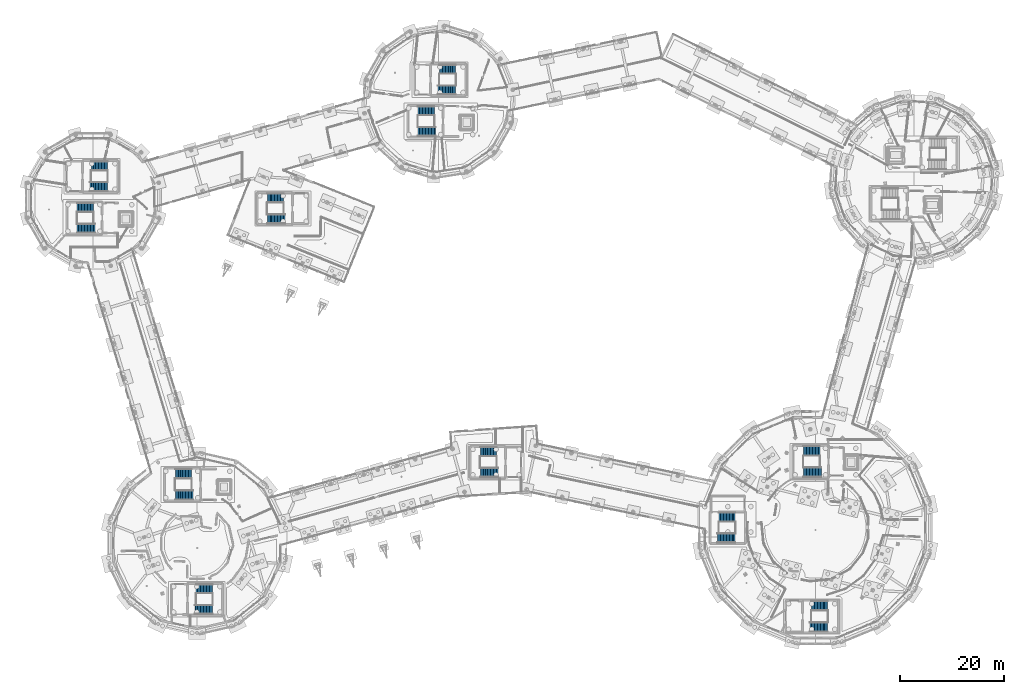
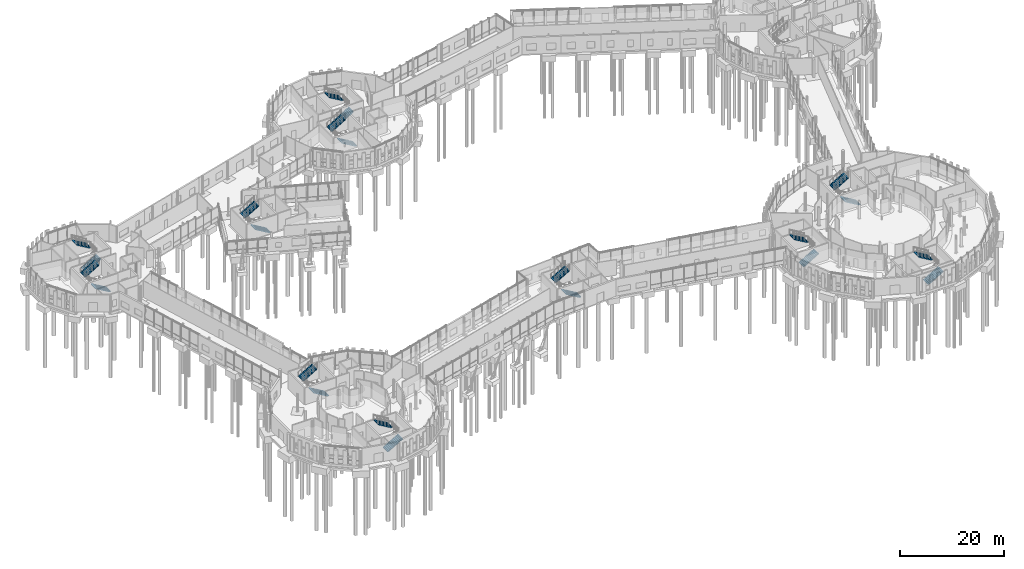
# One storey, part 96 of 113: 22 stair flights, 11 elements without a shape of their own.
"""IFC4 building model written with IfcOpenShell, lengths in metres."""

from ifc_helpers import new_model, si_unit, direction, frame, origin, place, context, subcontext, project, spatial, polyline, outline, extrude, material, type_object, element, aggregate, save


model = new_model("IFC4")

# Units and contexts
model_context = context("Model", 3, precision=1e-05, world=origin(), true_north=direction((0.0, 1.0)))
body_context = subcontext(model_context, "Body", "Model", "MODEL_VIEW")
ifc_project = project(units=[si_unit("LENGTHUNIT", "METRE"), si_unit("AREAUNIT", "SQUARE_METRE"), si_unit("VOLUMEUNIT", "CUBIC_METRE"), si_unit("PLANEANGLEUNIT", "RADIAN"), si_unit("MASSUNIT", "GRAM", prefix="KILO")], contexts=[model_context])

# Site, building, storey
site_placement = place(None, origin())
site = spatial("IfcSite", under=ifc_project, at=site_placement, CompositionType="ELEMENT")
building_placement = place(site_placement, origin())
building = spatial("IfcBuilding", under=site, at=building_placement, Name="Wrenclough Park School", CompositionType="ELEMENT")
storey_placement = place(building_placement, origin())
storey = spatial("IfcBuildingStorey", under=building, at=storey_placement, Name="L00", CompositionType="ELEMENT", Elevation=0.0)

# Stair, stair flights
ifc_material = material(Name="Precast concrete C40/50", Category="concrete")
stair_type_1 = type_object("IfcStairType", Name="INT-ST-180-42", PredefinedType="HALF_TURN_STAIR", material=ifc_material)
stair_1_placement = place(storey_placement, origin())
stair_1 = element("IfcStair", 1, at=stair_1_placement, inside=storey, type_object=stair_type_1, Name="L00 escape stair ST-12", PredefinedType="HALF_TURN_STAIR")
stair_flight_type_1 = type_object("IfcStairFlightType", Name="INT-FL-180-168", PredefinedType="STRAIGHT", material=ifc_material)
stair_flight_1_placement = place(storey_placement, frame((136.659912109375, 24.5, 0.0), z_axis=(0.0, 0.0, 1.0), x_axis=(1.0, 0.0, 0.0)))
stair_flight_1 = element("IfcStairFlight", 2, at=stair_flight_1_placement, type_object=stair_flight_type_1, Name="ST-12 flight 1", NumberOfRisers=13, NumberOfTreads=12, PredefinedType="STRAIGHT", RiserHeight=0.168, TreadLength=0.285, context=body_context, shape_type="SweptSolid", body=[
    extrude(outline(polyline([(0.0, 0.0), (0.0, 0.16796875), (0.284912109375, 0.16796875), (0.284912109375, 0.3359375), (0.570068359375, 0.3359375), (0.570068359375, 0.50390625), (0.85498046875, 0.50390625), (0.85498046875, 0.672119140625), (1.139892578125, 0.672119140625), (1.139892578125, 0.840087890625), (1.425048828125, 0.840087890625), (1.425048828125, 1.008056640625), (1.7099609375, 1.008056640625), (1.7099609375, 1.176025390625), (1.9951171875, 1.176025390625), (1.9951171875, 1.343994140625), (2.280029296875, 1.343994140625), (2.280029296875, 1.511962890625), (2.56494140625, 1.511962890625), (2.56494140625, 1.679931640625), (2.85009765625, 1.679931640625), (2.85009765625, 1.847900390625), (3.135009765625, 1.847900390625), (3.135009765625, 2.01611328125), (3.419921875, 2.01611328125), (3.419921875, 2.18408203125), (3.419921875, 1.80712890625), (0.354248046875, 0.0), (0.0, 0.0)])), frame((0.0, 0.89990234375, 0.0), z_axis=(0.0, -1.0, 0.0), x_axis=(1.0, 0.0, 0.0)), (0.0, 0.0, 1.0), 1.800048828125),
])
stair_flight_2_placement = place(storey_placement, frame((140.080078125, 28.5, 2.18408203125), z_axis=(0.0, 0.0, 1.0), x_axis=(-1.0, 0.0, 0.0)))
stair_flight_2 = element("IfcStairFlight", 3, at=stair_flight_2_placement, type_object=stair_flight_type_1, Name="ST-12 flight 2", NumberOfRisers=12, NumberOfTreads=11, PredefinedType="STRAIGHT", RiserHeight=0.168, TreadLength=0.285, context=body_context, shape_type="SweptSolid", body=[
    extrude(outline(polyline([(0.0, 0.0), (0.0, 0.16796875), (0.284912109375, 0.16796875), (0.284912109375, 0.3359375), (0.570068359375, 0.3359375), (0.570068359375, 0.50390625), (0.85498046875, 0.50390625), (0.85498046875, 0.672119140625), (1.139892578125, 0.672119140625), (1.139892578125, 0.840087890625), (1.425048828125, 0.840087890625), (1.425048828125, 1.008056640625), (1.7099609375, 1.008056640625), (1.7099609375, 1.176025390625), (1.9951171875, 1.176025390625), (1.9951171875, 1.343994140625), (2.280029296875, 1.343994140625), (2.280029296875, 1.511962890625), (2.56494140625, 1.511962890625), (2.56494140625, 1.679931640625), (2.85009765625, 1.679931640625), (2.85009765625, 1.847900390625), (3.135009765625, 1.847900390625), (3.135009765625, 2.01611328125), (3.135009765625, 1.63916015625), (0.354248046875, 0.0), (0.0, 0.0)])), frame((0.0, 0.89990234375, 0.0), z_axis=(0.0, -1.0, 0.0), x_axis=(1.0, 0.0, 0.0)), (0.0, 0.0, 1.0), 1.800048828125),
])
aggregate(stair_1, [stair_flight_1, stair_flight_2])

stair_2_placement = place(storey_placement, origin())
stair_2 = element("IfcStair", 4, at=stair_2_placement, inside=storey, type_object=stair_type_1, Name="L00 escape stair ST-13", PredefinedType="HALF_TURN_STAIR")
stair_flight_3_placement = place(storey_placement, frame((36.06005859375, 10.699951171875, 0.0), z_axis=(0.0, 0.0, 1.0), x_axis=(1.0, 0.0, 0.0)))
stair_flight_3 = element("IfcStairFlight", 5, at=stair_flight_3_placement, type_object=stair_flight_type_1, Name="ST-13 flight 1", NumberOfRisers=13, NumberOfTreads=12, PredefinedType="STRAIGHT", RiserHeight=0.168, TreadLength=0.285, context=body_context, shape_type="SweptSolid", body=[
    extrude(outline(polyline([(0.0, 0.0), (0.0, 0.16796875), (0.284912109375, 0.16796875), (0.284912109375, 0.3359375), (0.570068359375, 0.3359375), (0.570068359375, 0.50390625), (0.85498046875, 0.50390625), (0.85498046875, 0.672119140625), (1.139892578125, 0.672119140625), (1.139892578125, 0.840087890625), (1.425048828125, 0.840087890625), (1.425048828125, 1.008056640625), (1.7099609375, 1.008056640625), (1.7099609375, 1.176025390625), (1.9951171875, 1.176025390625), (1.9951171875, 1.343994140625), (2.280029296875, 1.343994140625), (2.280029296875, 1.511962890625), (2.56494140625, 1.511962890625), (2.56494140625, 1.679931640625), (2.85009765625, 1.679931640625), (2.85009765625, 1.847900390625), (3.135009765625, 1.847900390625), (3.135009765625, 2.01611328125), (3.419921875, 2.01611328125), (3.419921875, 2.18408203125), (3.419921875, 1.80712890625), (0.354248046875, 0.0), (0.0, 0.0)])), frame((0.0, 0.89990234375, 0.0), z_axis=(0.0, -1.0, 0.0), x_axis=(1.0, 0.0, 0.0)), (0.0, 0.0, 1.0), 1.800048828125),
])
stair_flight_4_placement = place(storey_placement, frame((39.47998046875, 14.699951171875, 2.18408203125), z_axis=(0.0, 0.0, 1.0), x_axis=(-1.0, 0.0, 0.0)))
stair_flight_4 = element("IfcStairFlight", 6, at=stair_flight_4_placement, type_object=stair_flight_type_1, Name="ST-13 flight 2", NumberOfRisers=12, NumberOfTreads=11, PredefinedType="STRAIGHT", RiserHeight=0.168, TreadLength=0.285, context=body_context, shape_type="SweptSolid", body=[
    extrude(outline(polyline([(0.0, 0.0), (0.0, 0.16796875), (0.284912109375, 0.16796875), (0.284912109375, 0.3359375), (0.570068359375, 0.3359375), (0.570068359375, 0.50390625), (0.85498046875, 0.50390625), (0.85498046875, 0.672119140625), (1.139892578125, 0.672119140625), (1.139892578125, 0.840087890625), (1.425048828125, 0.840087890625), (1.425048828125, 1.008056640625), (1.7099609375, 1.008056640625), (1.7099609375, 1.176025390625), (1.9951171875, 1.176025390625), (1.9951171875, 1.343994140625), (2.280029296875, 1.343994140625), (2.280029296875, 1.511962890625), (2.56494140625, 1.511962890625), (2.56494140625, 1.679931640625), (2.85009765625, 1.679931640625), (2.85009765625, 1.847900390625), (3.135009765625, 1.847900390625), (3.135009765625, 2.01611328125), (3.135009765625, 1.63916015625), (0.354248046875, 0.0), (0.0, 0.0)])), frame((0.0, 0.89990234375, 0.0), z_axis=(0.0, -1.0, 0.0), x_axis=(1.0, 0.0, 0.0)), (0.0, 0.0, 1.0), 1.800048828125),
])
aggregate(stair_2, [stair_flight_3, stair_flight_4])

stair_3_placement = place(storey_placement, origin())
stair_3 = element("IfcStair", 7, at=stair_3_placement, inside=storey, type_object=stair_type_1, Name="L00 escape stair ST-03", PredefinedType="HALF_TURN_STAIR")
stair_flight_5_placement = place(storey_placement, frame((16.840087890625, 84.10009765625, 0.0), z_axis=(0.0, 0.0, 1.0), x_axis=(-1.0, 0.0, 0.0)))
stair_flight_5 = element("IfcStairFlight", 8, at=stair_flight_5_placement, type_object=stair_flight_type_1, Name="ST-03 flight 1", NumberOfRisers=13, NumberOfTreads=12, PredefinedType="STRAIGHT", RiserHeight=0.168, TreadLength=0.285, context=body_context, shape_type="SweptSolid", body=[
    extrude(outline(polyline([(0.0, 0.0), (0.0, 0.16796875), (0.284912109375, 0.16796875), (0.284912109375, 0.3359375), (0.570068359375, 0.3359375), (0.570068359375, 0.50390625), (0.85498046875, 0.50390625), (0.85498046875, 0.672119140625), (1.139892578125, 0.672119140625), (1.139892578125, 0.840087890625), (1.425048828125, 0.840087890625), (1.425048828125, 1.008056640625), (1.7099609375, 1.008056640625), (1.7099609375, 1.176025390625), (1.9951171875, 1.176025390625), (1.9951171875, 1.343994140625), (2.280029296875, 1.343994140625), (2.280029296875, 1.511962890625), (2.56494140625, 1.511962890625), (2.56494140625, 1.679931640625), (2.85009765625, 1.679931640625), (2.85009765625, 1.847900390625), (3.135009765625, 1.847900390625), (3.135009765625, 2.01611328125), (3.419921875, 2.01611328125), (3.419921875, 2.18408203125), (3.419921875, 1.80712890625), (0.354248046875, 0.0), (0.0, 0.0)])), frame((0.0, 0.89990234375, 0.0), z_axis=(0.0, -1.0, 0.0), x_axis=(1.0, 0.0, 0.0)), (0.0, 0.0, 1.0), 1.800048828125),
])
stair_flight_6_placement = place(storey_placement, frame((13.419921875, 88.10009765625, 2.18408203125), z_axis=(0.0, 0.0, 1.0), x_axis=(1.0, 0.0, 0.0)))
stair_flight_6 = element("IfcStairFlight", 9, at=stair_flight_6_placement, type_object=stair_flight_type_1, Name="ST-03 flight 2", NumberOfRisers=12, NumberOfTreads=11, PredefinedType="STRAIGHT", RiserHeight=0.168, TreadLength=0.285, context=body_context, shape_type="SweptSolid", body=[
    extrude(outline(polyline([(0.0, 0.0), (0.0, 0.16796875), (0.284912109375, 0.16796875), (0.284912109375, 0.3359375), (0.570068359375, 0.3359375), (0.570068359375, 0.50390625), (0.85498046875, 0.50390625), (0.85498046875, 0.672119140625), (1.139892578125, 0.672119140625), (1.139892578125, 0.840087890625), (1.425048828125, 0.840087890625), (1.425048828125, 1.008056640625), (1.7099609375, 1.008056640625), (1.7099609375, 1.176025390625), (1.9951171875, 1.176025390625), (1.9951171875, 1.343994140625), (2.280029296875, 1.343994140625), (2.280029296875, 1.511962890625), (2.56494140625, 1.511962890625), (2.56494140625, 1.679931640625), (2.85009765625, 1.679931640625), (2.85009765625, 1.847900390625), (3.135009765625, 1.847900390625), (3.135009765625, 2.01611328125), (3.135009765625, 1.63916015625), (0.354248046875, 0.0), (0.0, 0.0)])), frame((0.0, 0.89990234375, 0.0), z_axis=(0.0, -1.0, 0.0), x_axis=(1.0, 0.0, 0.0)), (0.0, 0.0, 1.0), 1.800048828125),
])
aggregate(stair_3, [stair_flight_5, stair_flight_6])

stair_4_placement = place(storey_placement, origin())
stair_4 = element("IfcStair", 10, at=stair_4_placement, inside=storey, type_object=stair_type_1, Name="L00 escape stair ST-07", PredefinedType="HALF_TURN_STAIR")
stair_flight_7_placement = place(storey_placement, frame((15.860107421875, 92.10009765625, 0.0), z_axis=(0.0, 0.0, 1.0), x_axis=(1.0, 0.0, 0.0)))
stair_flight_7 = element("IfcStairFlight", 11, at=stair_flight_7_placement, type_object=stair_flight_type_1, Name="ST-07 flight 1", NumberOfRisers=13, NumberOfTreads=12, PredefinedType="STRAIGHT", RiserHeight=0.168, TreadLength=0.285, context=body_context, shape_type="SweptSolid", body=[
    extrude(outline(polyline([(0.0, 0.0), (0.0, 0.16796875), (0.284912109375, 0.16796875), (0.284912109375, 0.3359375), (0.570068359375, 0.3359375), (0.570068359375, 0.50390625), (0.85498046875, 0.50390625), (0.85498046875, 0.672119140625), (1.139892578125, 0.672119140625), (1.139892578125, 0.840087890625), (1.425048828125, 0.840087890625), (1.425048828125, 1.008056640625), (1.7099609375, 1.008056640625), (1.7099609375, 1.176025390625), (1.9951171875, 1.176025390625), (1.9951171875, 1.343994140625), (2.280029296875, 1.343994140625), (2.280029296875, 1.511962890625), (2.56494140625, 1.511962890625), (2.56494140625, 1.679931640625), (2.85009765625, 1.679931640625), (2.85009765625, 1.847900390625), (3.135009765625, 1.847900390625), (3.135009765625, 2.01611328125), (3.419921875, 2.01611328125), (3.419921875, 2.18408203125), (3.419921875, 1.80712890625), (0.354248046875, 0.0), (0.0, 0.0)])), frame((0.0, 0.89990234375, 0.0), z_axis=(0.0, -1.0, 0.0), x_axis=(1.0, 0.0, 0.0)), (0.0, 0.0, 1.0), 1.800048828125),
])
stair_flight_8_placement = place(storey_placement, frame((19.280029296875, 96.10009765625, 2.18408203125), z_axis=(0.0, 0.0, 1.0), x_axis=(-1.0, 0.0, 0.0)))
stair_flight_8 = element("IfcStairFlight", 12, at=stair_flight_8_placement, type_object=stair_flight_type_1, Name="ST-07 flight 2", NumberOfRisers=12, NumberOfTreads=11, PredefinedType="STRAIGHT", RiserHeight=0.168, TreadLength=0.285, context=body_context, shape_type="SweptSolid", body=[
    extrude(outline(polyline([(0.0, 0.0), (0.0, 0.16796875), (0.284912109375, 0.16796875), (0.284912109375, 0.3359375), (0.570068359375, 0.3359375), (0.570068359375, 0.50390625), (0.85498046875, 0.50390625), (0.85498046875, 0.672119140625), (1.139892578125, 0.672119140625), (1.139892578125, 0.840087890625), (1.425048828125, 0.840087890625), (1.425048828125, 1.008056640625), (1.7099609375, 1.008056640625), (1.7099609375, 1.176025390625), (1.9951171875, 1.176025390625), (1.9951171875, 1.343994140625), (2.280029296875, 1.343994140625), (2.280029296875, 1.511962890625), (2.56494140625, 1.511962890625), (2.56494140625, 1.679931640625), (2.85009765625, 1.679931640625), (2.85009765625, 1.847900390625), (3.135009765625, 1.847900390625), (3.135009765625, 2.01611328125), (3.135009765625, 1.63916015625), (0.354248046875, 0.0), (0.0, 0.0)])), frame((0.0, 0.89990234375, 0.0), z_axis=(0.0, -1.0, 0.0), x_axis=(1.0, 0.0, 0.0)), (0.0, 0.0, 1.0), 1.800048828125),
])
aggregate(stair_4, [stair_flight_7, stair_flight_8])

stair_5_placement = place(storey_placement, origin())
stair_5 = element("IfcStair", 13, at=stair_5_placement, inside=storey, type_object=stair_type_1, Name="L00 escape stair ST-04", PredefinedType="HALF_TURN_STAIR")
stair_flight_9_placement = place(storey_placement, frame((82.43994140625, 102.699951171875, 0.0), z_axis=(0.0, 0.0, 1.0), x_axis=(-1.0, 0.0, 0.0)))
stair_flight_9 = element("IfcStairFlight", 14, at=stair_flight_9_placement, type_object=stair_flight_type_1, Name="ST-04 flight 1", NumberOfRisers=13, NumberOfTreads=12, PredefinedType="STRAIGHT", RiserHeight=0.168, TreadLength=0.285, context=body_context, shape_type="SweptSolid", body=[
    extrude(outline(polyline([(0.0, 0.0), (0.0, 0.16796875), (0.284912109375, 0.16796875), (0.284912109375, 0.3359375), (0.570068359375, 0.3359375), (0.570068359375, 0.50390625), (0.85498046875, 0.50390625), (0.85498046875, 0.672119140625), (1.139892578125, 0.672119140625), (1.139892578125, 0.840087890625), (1.425048828125, 0.840087890625), (1.425048828125, 1.008056640625), (1.7099609375, 1.008056640625), (1.7099609375, 1.176025390625), (1.9951171875, 1.176025390625), (1.9951171875, 1.343994140625), (2.280029296875, 1.343994140625), (2.280029296875, 1.511962890625), (2.56494140625, 1.511962890625), (2.56494140625, 1.679931640625), (2.85009765625, 1.679931640625), (2.85009765625, 1.847900390625), (3.135009765625, 1.847900390625), (3.135009765625, 2.01611328125), (3.419921875, 2.01611328125), (3.419921875, 2.18408203125), (3.419921875, 1.80712890625), (0.354248046875, 0.0), (0.0, 0.0)])), frame((0.0, 0.89990234375, 0.0), z_axis=(0.0, -1.0, 0.0), x_axis=(1.0, 0.0, 0.0)), (0.0, 0.0, 1.0), 1.800048828125),
])
stair_flight_10_placement = place(storey_placement, frame((79.02001953125, 106.699951171875, 2.18408203125), z_axis=(0.0, 0.0, 1.0), x_axis=(1.0, 0.0, 0.0)))
stair_flight_10 = element("IfcStairFlight", 15, at=stair_flight_10_placement, type_object=stair_flight_type_1, Name="ST-04 flight 2", NumberOfRisers=12, NumberOfTreads=11, PredefinedType="STRAIGHT", RiserHeight=0.168, TreadLength=0.285, context=body_context, shape_type="SweptSolid", body=[
    extrude(outline(polyline([(0.0, 0.0), (0.0, 0.16796875), (0.284912109375, 0.16796875), (0.284912109375, 0.3359375), (0.570068359375, 0.3359375), (0.570068359375, 0.50390625), (0.85498046875, 0.50390625), (0.85498046875, 0.672119140625), (1.139892578125, 0.672119140625), (1.139892578125, 0.840087890625), (1.425048828125, 0.840087890625), (1.425048828125, 1.008056640625), (1.7099609375, 1.008056640625), (1.7099609375, 1.176025390625), (1.9951171875, 1.176025390625), (1.9951171875, 1.343994140625), (2.280029296875, 1.343994140625), (2.280029296875, 1.511962890625), (2.56494140625, 1.511962890625), (2.56494140625, 1.679931640625), (2.85009765625, 1.679931640625), (2.85009765625, 1.847900390625), (3.135009765625, 1.847900390625), (3.135009765625, 2.01611328125), (3.135009765625, 1.63916015625), (0.354248046875, 0.0), (0.0, 0.0)])), frame((0.0, 0.89990234375, 0.0), z_axis=(0.0, -1.0, 0.0), x_axis=(1.0, 0.0, 0.0)), (0.0, 0.0, 1.0), 1.800048828125),
])
aggregate(stair_5, [stair_flight_9, stair_flight_10])

stair_6_placement = place(storey_placement, origin())
stair_6 = element("IfcStair", 16, at=stair_6_placement, inside=storey, type_object=stair_type_1, Name="L00 escape stair ST-08", PredefinedType="HALF_TURN_STAIR")
stair_flight_11_placement = place(storey_placement, frame((82.860107421875, 110.699951171875, 0.0), z_axis=(0.0, 0.0, 1.0), x_axis=(1.0, 0.0, 0.0)))
stair_flight_11 = element("IfcStairFlight", 17, at=stair_flight_11_placement, type_object=stair_flight_type_1, Name="ST-08 flight 1", NumberOfRisers=13, NumberOfTreads=12, PredefinedType="STRAIGHT", RiserHeight=0.168, TreadLength=0.285, context=body_context, shape_type="SweptSolid", body=[
    extrude(outline(polyline([(0.0, 0.0), (0.0, 0.16796875), (0.284912109375, 0.16796875), (0.284912109375, 0.3359375), (0.570068359375, 0.3359375), (0.570068359375, 0.50390625), (0.85498046875, 0.50390625), (0.85498046875, 0.672119140625), (1.139892578125, 0.672119140625), (1.139892578125, 0.840087890625), (1.425048828125, 0.840087890625), (1.425048828125, 1.008056640625), (1.7099609375, 1.008056640625), (1.7099609375, 1.176025390625), (1.9951171875, 1.176025390625), (1.9951171875, 1.343994140625), (2.280029296875, 1.343994140625), (2.280029296875, 1.511962890625), (2.56494140625, 1.511962890625), (2.56494140625, 1.679931640625), (2.85009765625, 1.679931640625), (2.85009765625, 1.847900390625), (3.135009765625, 1.847900390625), (3.135009765625, 2.01611328125), (3.419921875, 2.01611328125), (3.419921875, 2.18408203125), (3.419921875, 1.80712890625), (0.354248046875, 0.0), (0.0, 0.0)])), frame((0.0, 0.89990234375, 0.0), z_axis=(0.0, -1.0, 0.0), x_axis=(1.0, 0.0, 0.0)), (0.0, 0.0, 1.0), 1.800048828125),
])
stair_flight_12_placement = place(storey_placement, frame((86.280029296875, 114.699951171875, 2.18408203125), z_axis=(0.0, 0.0, 1.0), x_axis=(-1.0, 0.0, 0.0)))
stair_flight_12 = element("IfcStairFlight", 18, at=stair_flight_12_placement, type_object=stair_flight_type_1, Name="ST-08 flight 2", NumberOfRisers=12, NumberOfTreads=11, PredefinedType="STRAIGHT", RiserHeight=0.168, TreadLength=0.285, context=body_context, shape_type="SweptSolid", body=[
    extrude(outline(polyline([(0.0, 0.0), (0.0, 0.16796875), (0.284912109375, 0.16796875), (0.284912109375, 0.3359375), (0.570068359375, 0.3359375), (0.570068359375, 0.50390625), (0.85498046875, 0.50390625), (0.85498046875, 0.672119140625), (1.139892578125, 0.672119140625), (1.139892578125, 0.840087890625), (1.425048828125, 0.840087890625), (1.425048828125, 1.008056640625), (1.7099609375, 1.008056640625), (1.7099609375, 1.176025390625), (1.9951171875, 1.176025390625), (1.9951171875, 1.343994140625), (2.280029296875, 1.343994140625), (2.280029296875, 1.511962890625), (2.56494140625, 1.511962890625), (2.56494140625, 1.679931640625), (2.85009765625, 1.679931640625), (2.85009765625, 1.847900390625), (3.135009765625, 1.847900390625), (3.135009765625, 2.01611328125), (3.135009765625, 1.63916015625), (0.354248046875, 0.0), (0.0, 0.0)])), frame((0.0, 0.89990234375, 0.0), z_axis=(0.0, -1.0, 0.0), x_axis=(1.0, 0.0, 0.0)), (0.0, 0.0, 1.0), 1.800048828125),
])
aggregate(stair_6, [stair_flight_11, stair_flight_12])

stair_7_placement = place(storey_placement, origin())
stair_7 = element("IfcStair", 19, at=stair_7_placement, inside=storey, type_object=stair_type_1, Name="L00 escape stair ST-10", PredefinedType="HALF_TURN_STAIR")
stair_flight_13_placement = place(storey_placement, frame((94.43994140625, 37.10009765625, 0.0), z_axis=(0.0, 0.0, 1.0), x_axis=(-1.0, 0.0, 0.0)))
stair_flight_13 = element("IfcStairFlight", 20, at=stair_flight_13_placement, type_object=stair_flight_type_1, Name="ST-10 flight 1", NumberOfRisers=13, NumberOfTreads=12, PredefinedType="STRAIGHT", RiserHeight=0.168, TreadLength=0.285, context=body_context, shape_type="SweptSolid", body=[
    extrude(outline(polyline([(0.0, 0.0), (0.0, 0.16796875), (0.284912109375, 0.16796875), (0.284912109375, 0.3359375), (0.570068359375, 0.3359375), (0.570068359375, 0.50390625), (0.85498046875, 0.50390625), (0.85498046875, 0.672119140625), (1.139892578125, 0.672119140625), (1.139892578125, 0.840087890625), (1.425048828125, 0.840087890625), (1.425048828125, 1.008056640625), (1.7099609375, 1.008056640625), (1.7099609375, 1.176025390625), (1.9951171875, 1.176025390625), (1.9951171875, 1.343994140625), (2.280029296875, 1.343994140625), (2.280029296875, 1.511962890625), (2.56494140625, 1.511962890625), (2.56494140625, 1.679931640625), (2.85009765625, 1.679931640625), (2.85009765625, 1.847900390625), (3.135009765625, 1.847900390625), (3.135009765625, 2.01611328125), (3.419921875, 2.01611328125), (3.419921875, 2.18408203125), (3.419921875, 1.80712890625), (0.354248046875, 0.0), (0.0, 0.0)])), frame((0.0, 0.89990234375, 0.0), z_axis=(0.0, -1.0, 0.0), x_axis=(1.0, 0.0, 0.0)), (0.0, 0.0, 1.0), 1.800048828125),
])
stair_flight_14_placement = place(storey_placement, frame((91.02001953125, 41.10009765625, 2.18408203125), z_axis=(0.0, 0.0, 1.0), x_axis=(1.0, 0.0, 0.0)))
stair_flight_14 = element("IfcStairFlight", 21, at=stair_flight_14_placement, type_object=stair_flight_type_1, Name="ST-10 flight 2", NumberOfRisers=12, NumberOfTreads=11, PredefinedType="STRAIGHT", RiserHeight=0.168, TreadLength=0.285, context=body_context, shape_type="SweptSolid", body=[
    extrude(outline(polyline([(0.0, 0.0), (0.0, 0.16796875), (0.284912109375, 0.16796875), (0.284912109375, 0.3359375), (0.570068359375, 0.3359375), (0.570068359375, 0.50390625), (0.85498046875, 0.50390625), (0.85498046875, 0.672119140625), (1.139892578125, 0.672119140625), (1.139892578125, 0.840087890625), (1.425048828125, 0.840087890625), (1.425048828125, 1.008056640625), (1.7099609375, 1.008056640625), (1.7099609375, 1.176025390625), (1.9951171875, 1.176025390625), (1.9951171875, 1.343994140625), (2.280029296875, 1.343994140625), (2.280029296875, 1.511962890625), (2.56494140625, 1.511962890625), (2.56494140625, 1.679931640625), (2.85009765625, 1.679931640625), (2.85009765625, 1.847900390625), (3.135009765625, 1.847900390625), (3.135009765625, 2.01611328125), (3.135009765625, 1.63916015625), (0.354248046875, 0.0), (0.0, 0.0)])), frame((0.0, 0.89990234375, 0.0), z_axis=(0.0, -1.0, 0.0), x_axis=(1.0, 0.0, 0.0)), (0.0, 0.0, 1.0), 1.800048828125),
])
aggregate(stair_7, [stair_flight_13, stair_flight_14])

stair_8_placement = place(storey_placement, origin())
stair_8 = element("IfcStair", 22, at=stair_8_placement, inside=storey, type_object=stair_type_1, Name="L00 escape stair ST-11", PredefinedType="HALF_TURN_STAIR")
stair_flight_15_placement = place(storey_placement, frame((53.43994140625, 85.89990234375, 0.0), z_axis=(0.0, 0.0, 1.0), x_axis=(-1.0, 0.0, 0.0)))
stair_flight_15 = element("IfcStairFlight", 23, at=stair_flight_15_placement, type_object=stair_flight_type_1, Name="ST-11 flight 1", NumberOfRisers=13, NumberOfTreads=12, PredefinedType="STRAIGHT", RiserHeight=0.168, TreadLength=0.285, context=body_context, shape_type="SweptSolid", body=[
    extrude(outline(polyline([(0.0, 0.0), (0.0, 0.16796875), (0.284912109375, 0.16796875), (0.284912109375, 0.3359375), (0.570068359375, 0.3359375), (0.570068359375, 0.50390625), (0.85498046875, 0.50390625), (0.85498046875, 0.672119140625), (1.139892578125, 0.672119140625), (1.139892578125, 0.840087890625), (1.425048828125, 0.840087890625), (1.425048828125, 1.008056640625), (1.7099609375, 1.008056640625), (1.7099609375, 1.176025390625), (1.9951171875, 1.176025390625), (1.9951171875, 1.343994140625), (2.280029296875, 1.343994140625), (2.280029296875, 1.511962890625), (2.56494140625, 1.511962890625), (2.56494140625, 1.679931640625), (2.85009765625, 1.679931640625), (2.85009765625, 1.847900390625), (3.135009765625, 1.847900390625), (3.135009765625, 2.01611328125), (3.419921875, 2.01611328125), (3.419921875, 2.18408203125), (3.419921875, 1.80712890625), (0.354248046875, 0.0), (0.0, 0.0)])), frame((0.0, 0.89990234375, 0.0), z_axis=(0.0, -1.0, 0.0), x_axis=(1.0, 0.0, 0.0)), (0.0, 0.0, 1.0), 1.800048828125),
])
stair_flight_16_placement = place(storey_placement, frame((50.02001953125, 89.89990234375, 2.18408203125), z_axis=(0.0, 0.0, 1.0), x_axis=(1.0, 0.0, 0.0)))
stair_flight_16 = element("IfcStairFlight", 24, at=stair_flight_16_placement, type_object=stair_flight_type_1, Name="ST-11 flight 2", NumberOfRisers=12, NumberOfTreads=11, PredefinedType="STRAIGHT", RiserHeight=0.168, TreadLength=0.285, context=body_context, shape_type="SweptSolid", body=[
    extrude(outline(polyline([(0.0, 0.0), (0.0, 0.16796875), (0.284912109375, 0.16796875), (0.284912109375, 0.3359375), (0.570068359375, 0.3359375), (0.570068359375, 0.50390625), (0.85498046875, 0.50390625), (0.85498046875, 0.672119140625), (1.139892578125, 0.672119140625), (1.139892578125, 0.840087890625), (1.425048828125, 0.840087890625), (1.425048828125, 1.008056640625), (1.7099609375, 1.008056640625), (1.7099609375, 1.176025390625), (1.9951171875, 1.176025390625), (1.9951171875, 1.343994140625), (2.280029296875, 1.343994140625), (2.280029296875, 1.511962890625), (2.56494140625, 1.511962890625), (2.56494140625, 1.679931640625), (2.85009765625, 1.679931640625), (2.85009765625, 1.847900390625), (3.135009765625, 1.847900390625), (3.135009765625, 2.01611328125), (3.135009765625, 1.63916015625), (0.354248046875, 0.0), (0.0, 0.0)])), frame((0.0, 0.89990234375, 0.0), z_axis=(0.0, -1.0, 0.0), x_axis=(1.0, 0.0, 0.0)), (0.0, 0.0, 1.0), 1.800048828125),
])
aggregate(stair_8, [stair_flight_15, stair_flight_16])

stair_type_2 = type_object("IfcStairType", Name="INT-ST-190-42", PredefinedType="HALF_TURN_STAIR", material=ifc_material)
stair_9_placement = place(storey_placement, origin())
stair_9 = element("IfcStair", 25, at=stair_9_placement, inside=storey, type_object=stair_type_2, Name="L00 escape stair ST-01", PredefinedType="HALF_TURN_STAIR")
stair_flight_type_2 = type_object("IfcStairFlightType", Name="INT-FL-190-168", PredefinedType="STRAIGHT", material=ifc_material)
stair_flight_17_placement = place(storey_placement, frame((156.639892578125, 37.14990234375, 0.0), z_axis=(0.0, 0.0, 1.0), x_axis=(-1.0, 0.0, 0.0)))
stair_flight_17 = element("IfcStairFlight", 26, at=stair_flight_17_placement, type_object=stair_flight_type_2, Name="ST-01 flight 1", NumberOfRisers=13, NumberOfTreads=12, PredefinedType="STRAIGHT", RiserHeight=0.168, TreadLength=0.285, context=body_context, shape_type="SweptSolid", body=[
    extrude(outline(polyline([(0.0, 0.0), (0.0, 0.16796875), (0.284912109375, 0.16796875), (0.284912109375, 0.3359375), (0.570068359375, 0.3359375), (0.570068359375, 0.50390625), (0.85498046875, 0.50390625), (0.85498046875, 0.672119140625), (1.139892578125, 0.672119140625), (1.139892578125, 0.840087890625), (1.425048828125, 0.840087890625), (1.425048828125, 1.008056640625), (1.7099609375, 1.008056640625), (1.7099609375, 1.176025390625), (1.9951171875, 1.176025390625), (1.9951171875, 1.343994140625), (2.280029296875, 1.343994140625), (2.280029296875, 1.511962890625), (2.56494140625, 1.511962890625), (2.56494140625, 1.679931640625), (2.85009765625, 1.679931640625), (2.85009765625, 1.847900390625), (3.135009765625, 1.847900390625), (3.135009765625, 2.01611328125), (3.419921875, 2.01611328125), (3.419921875, 2.18408203125), (3.419921875, 1.80126953125), (0.364501953125, 0.0), (0.0, 0.0)])), frame((0.0, 0.949951171875, 0.0), z_axis=(0.0, -1.0, 0.0), x_axis=(1.0, 0.0, 0.0)), (0.0, 0.0, 1.0), 1.89990234375),
])
stair_flight_18_placement = place(storey_placement, frame((153.219970703125, 41.25, 2.18408203125), z_axis=(0.0, 0.0, 1.0), x_axis=(1.0, 0.0, 0.0)))
stair_flight_18 = element("IfcStairFlight", 27, at=stair_flight_18_placement, type_object=stair_flight_type_2, Name="ST-01 flight 2", NumberOfRisers=12, NumberOfTreads=11, PredefinedType="STRAIGHT", RiserHeight=0.168, TreadLength=0.285, context=body_context, shape_type="SweptSolid", body=[
    extrude(outline(polyline([(0.0, 0.0), (0.0, 0.16796875), (0.284912109375, 0.16796875), (0.284912109375, 0.3359375), (0.570068359375, 0.3359375), (0.570068359375, 0.50390625), (0.85498046875, 0.50390625), (0.85498046875, 0.672119140625), (1.139892578125, 0.672119140625), (1.139892578125, 0.840087890625), (1.425048828125, 0.840087890625), (1.425048828125, 1.008056640625), (1.7099609375, 1.008056640625), (1.7099609375, 1.176025390625), (1.9951171875, 1.176025390625), (1.9951171875, 1.343994140625), (2.280029296875, 1.343994140625), (2.280029296875, 1.511962890625), (2.56494140625, 1.511962890625), (2.56494140625, 1.679931640625), (2.85009765625, 1.679931640625), (2.85009765625, 1.847900390625), (3.135009765625, 1.847900390625), (3.135009765625, 2.01611328125), (3.135009765625, 1.63330078125), (0.364501953125, 0.0), (0.0, 0.0)])), frame((0.0, 0.949951171875, 0.0), z_axis=(0.0, -1.0, 0.0), x_axis=(1.0, 0.0, 0.0)), (0.0, 0.0, 1.0), 1.89990234375),
])
aggregate(stair_9, [stair_flight_17, stair_flight_18])

stair_10_placement = place(storey_placement, origin())
stair_10 = element("IfcStair", 28, at=stair_10_placement, inside=storey, type_object=stair_type_2, Name="L00 escape stair ST-09", PredefinedType="HALF_TURN_STAIR")
stair_flight_19_placement = place(storey_placement, frame((154.4599609375, 7.35009765625, 0.0), z_axis=(0.0, 0.0, 1.0), x_axis=(1.0, 0.0, 0.0)))
stair_flight_19 = element("IfcStairFlight", 29, at=stair_flight_19_placement, type_object=stair_flight_type_2, Name="ST-09 flight 1", NumberOfRisers=13, NumberOfTreads=12, PredefinedType="STRAIGHT", RiserHeight=0.168, TreadLength=0.285, context=body_context, shape_type="SweptSolid", body=[
    extrude(outline(polyline([(0.0, 0.0), (0.0, 0.16796875), (0.284912109375, 0.16796875), (0.284912109375, 0.3359375), (0.570068359375, 0.3359375), (0.570068359375, 0.50390625), (0.85498046875, 0.50390625), (0.85498046875, 0.672119140625), (1.139892578125, 0.672119140625), (1.139892578125, 0.840087890625), (1.425048828125, 0.840087890625), (1.425048828125, 1.008056640625), (1.7099609375, 1.008056640625), (1.7099609375, 1.176025390625), (1.9951171875, 1.176025390625), (1.9951171875, 1.343994140625), (2.280029296875, 1.343994140625), (2.280029296875, 1.511962890625), (2.56494140625, 1.511962890625), (2.56494140625, 1.679931640625), (2.85009765625, 1.679931640625), (2.85009765625, 1.847900390625), (3.135009765625, 1.847900390625), (3.135009765625, 2.01611328125), (3.419921875, 2.01611328125), (3.419921875, 2.18408203125), (3.419921875, 1.80126953125), (0.364501953125, 0.0), (0.0, 0.0)])), frame((0.0, 0.949951171875, 0.0), z_axis=(0.0, -1.0, 0.0), x_axis=(1.0, 0.0, 0.0)), (0.0, 0.0, 1.0), 1.89990234375),
])
stair_flight_20_placement = place(storey_placement, frame((157.8798828125, 11.449951171875, 2.18408203125), z_axis=(0.0, 0.0, 1.0), x_axis=(-1.0, 0.0, 0.0)))
stair_flight_20 = element("IfcStairFlight", 30, at=stair_flight_20_placement, type_object=stair_flight_type_2, Name="ST-09 flight 2", NumberOfRisers=12, NumberOfTreads=11, PredefinedType="STRAIGHT", RiserHeight=0.168, TreadLength=0.285, context=body_context, shape_type="SweptSolid", body=[
    extrude(outline(polyline([(0.0, 0.0), (0.0, 0.16796875), (0.284912109375, 0.16796875), (0.284912109375, 0.3359375), (0.570068359375, 0.3359375), (0.570068359375, 0.50390625), (0.85498046875, 0.50390625), (0.85498046875, 0.672119140625), (1.139892578125, 0.672119140625), (1.139892578125, 0.840087890625), (1.425048828125, 0.840087890625), (1.425048828125, 1.008056640625), (1.7099609375, 1.008056640625), (1.7099609375, 1.176025390625), (1.9951171875, 1.176025390625), (1.9951171875, 1.343994140625), (2.280029296875, 1.343994140625), (2.280029296875, 1.511962890625), (2.56494140625, 1.511962890625), (2.56494140625, 1.679931640625), (2.85009765625, 1.679931640625), (2.85009765625, 1.847900390625), (3.135009765625, 1.847900390625), (3.135009765625, 2.01611328125), (3.135009765625, 1.63330078125), (0.364501953125, 0.0), (0.0, 0.0)])), frame((0.0, 0.949951171875, 0.0), z_axis=(0.0, -1.0, 0.0), x_axis=(1.0, 0.0, 0.0)), (0.0, 0.0, 1.0), 1.89990234375),
])
aggregate(stair_10, [stair_flight_19, stair_flight_20])

stair_11_placement = place(storey_placement, origin())
stair_11 = element("IfcStair", 31, at=stair_11_placement, inside=storey, type_object=stair_type_2, Name="L00 escape stair ST-02", PredefinedType="HALF_TURN_STAIR")
stair_flight_21_placement = place(storey_placement, frame((35.739990234375, 32.75, 0.0), z_axis=(0.0, 0.0, 1.0), x_axis=(-1.0, 0.0, 0.0)))
stair_flight_21 = element("IfcStairFlight", 32, at=stair_flight_21_placement, type_object=stair_flight_type_2, Name="ST-02 flight 1", NumberOfRisers=13, NumberOfTreads=12, PredefinedType="STRAIGHT", RiserHeight=0.168, TreadLength=0.285, context=body_context, shape_type="SweptSolid", body=[
    extrude(outline(polyline([(0.0, 0.0), (0.0, 0.16796875), (0.284912109375, 0.16796875), (0.284912109375, 0.3359375), (0.570068359375, 0.3359375), (0.570068359375, 0.50390625), (0.85498046875, 0.50390625), (0.85498046875, 0.672119140625), (1.139892578125, 0.672119140625), (1.139892578125, 0.840087890625), (1.425048828125, 0.840087890625), (1.425048828125, 1.008056640625), (1.7099609375, 1.008056640625), (1.7099609375, 1.176025390625), (1.9951171875, 1.176025390625), (1.9951171875, 1.343994140625), (2.280029296875, 1.343994140625), (2.280029296875, 1.511962890625), (2.56494140625, 1.511962890625), (2.56494140625, 1.679931640625), (2.85009765625, 1.679931640625), (2.85009765625, 1.847900390625), (3.135009765625, 1.847900390625), (3.135009765625, 2.01611328125), (3.419921875, 2.01611328125), (3.419921875, 2.18408203125), (3.419921875, 1.80126953125), (0.364501953125, 0.0), (0.0, 0.0)])), frame((0.0, 0.949951171875, 0.0), z_axis=(0.0, -1.0, 0.0), x_axis=(1.0, 0.0, 0.0)), (0.0, 0.0, 1.0), 1.89990234375),
])
stair_flight_22_placement = place(storey_placement, frame((32.320068359375, 36.85009765625, 2.18408203125), z_axis=(0.0, 0.0, 1.0), x_axis=(1.0, 0.0, 0.0)))
stair_flight_22 = element("IfcStairFlight", 33, at=stair_flight_22_placement, type_object=stair_flight_type_2, Name="ST-02 flight 2", NumberOfRisers=12, NumberOfTreads=11, PredefinedType="STRAIGHT", RiserHeight=0.168, TreadLength=0.285, context=body_context, shape_type="SweptSolid", body=[
    extrude(outline(polyline([(0.0, 0.0), (0.0, 0.16796875), (0.284912109375, 0.16796875), (0.284912109375, 0.3359375), (0.570068359375, 0.3359375), (0.570068359375, 0.50390625), (0.85498046875, 0.50390625), (0.85498046875, 0.672119140625), (1.139892578125, 0.672119140625), (1.139892578125, 0.840087890625), (1.425048828125, 0.840087890625), (1.425048828125, 1.008056640625), (1.7099609375, 1.008056640625), (1.7099609375, 1.176025390625), (1.9951171875, 1.176025390625), (1.9951171875, 1.343994140625), (2.280029296875, 1.343994140625), (2.280029296875, 1.511962890625), (2.56494140625, 1.511962890625), (2.56494140625, 1.679931640625), (2.85009765625, 1.679931640625), (2.85009765625, 1.847900390625), (3.135009765625, 1.847900390625), (3.135009765625, 2.01611328125), (3.135009765625, 1.63330078125), (0.364501953125, 0.0), (0.0, 0.0)])), frame((0.0, 0.949951171875, 0.0), z_axis=(0.0, -1.0, 0.0), x_axis=(1.0, 0.0, 0.0)), (0.0, 0.0, 1.0), 1.89990234375),
])
aggregate(stair_11, [stair_flight_21, stair_flight_22])

save(model, "model.ifc")
